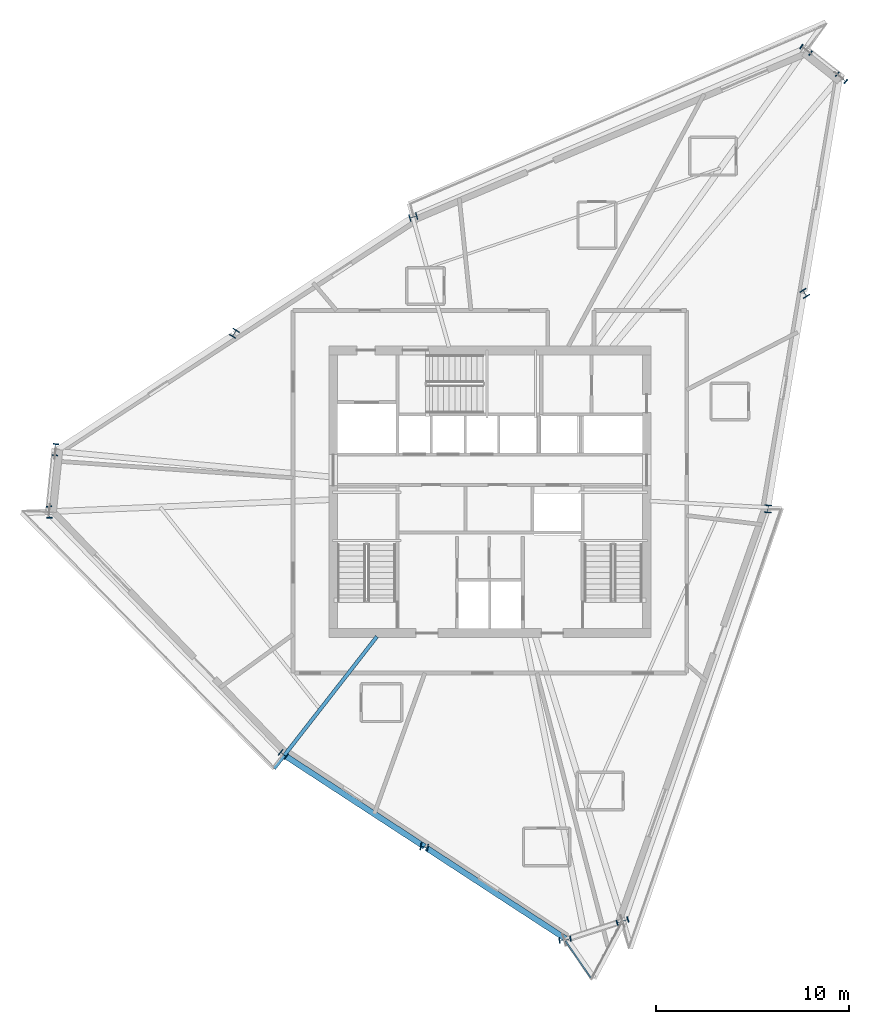
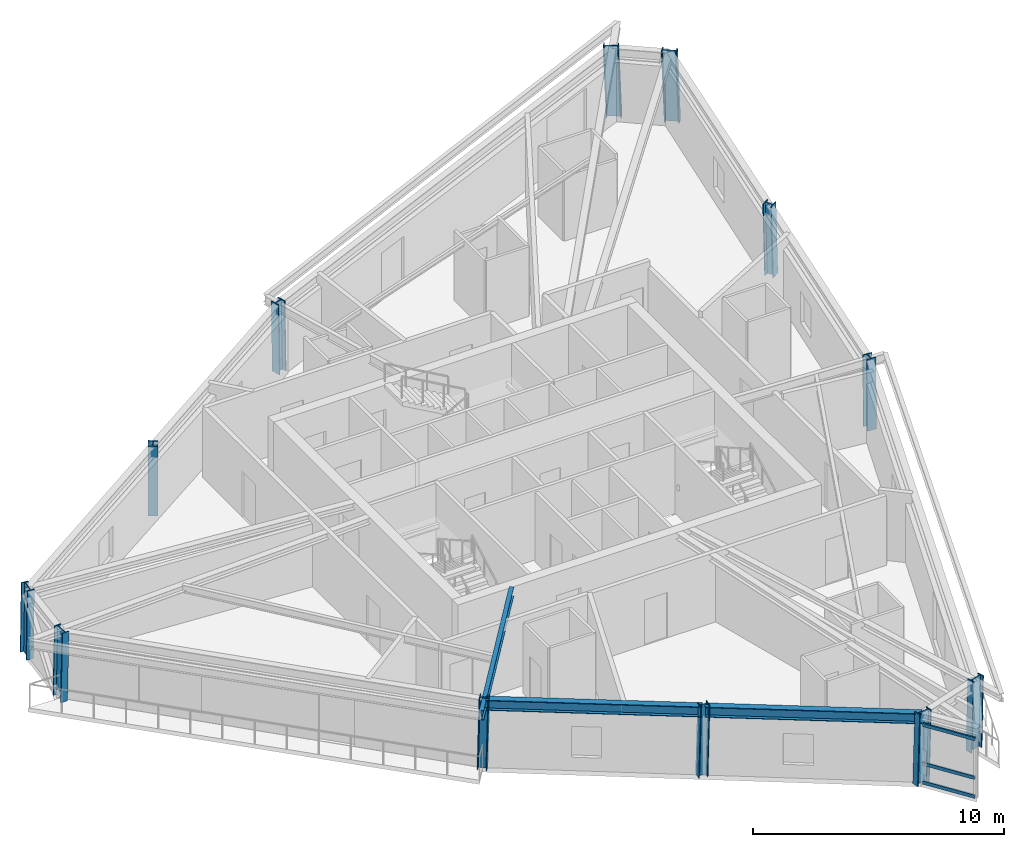
# One storey, part 1 of 13: 12 columns, 3 beams, 3 members, 1 element without a shape of its own.
"""IFC4 building model written with IfcOpenShell, lengths in metres."""

from ifc_helpers import new_model, si_unit, direction, frame, origin, origin_2d, place, context, subcontext, project, spatial, hollow_rectangle, i_section, extrude, source, transform, mapped, material, material_profile, profile_set, type_object, element, aggregate, save


model = new_model("IFC4")

# Units and contexts
model_context = context("Model", 3, precision=1e-05, world=origin(), true_north=direction((0.0, 1.0)))
body_context = subcontext(model_context, "Body", "Model", "MODEL_VIEW")
ifc_project = project(units=[si_unit("LENGTHUNIT", "METRE"), si_unit("AREAUNIT", "SQUARE_METRE"), si_unit("VOLUMEUNIT", "CUBIC_METRE"), si_unit("PLANEANGLEUNIT", "RADIAN"), si_unit("MASSUNIT", "GRAM", prefix="KILO")], contexts=[model_context])

# Site, building, storey
site_placement = place(None, origin())
site = spatial("IfcSite", under=ifc_project, at=site_placement, CompositionType="ELEMENT")
building_placement = place(site_placement, origin())
building = spatial("IfcBuilding", under=site, at=building_placement, Name="Olszyna Solenne Hotel", CompositionType="ELEMENT")
storey_placement = place(building_placement, frame((0.0, 0.0, 248.89990234375)))
storey = spatial("IfcBuildingStorey", under=building, at=storey_placement, Name="L66", CompositionType="ELEMENT", Elevation=248.89990234375)

# Columns
ifc_material_1 = material(Name="Steel S460M", Category="steel")
ifc_material_profile_1 = material_profile(ifc_material_1, i_section(OverallWidth=0.304931640625, OverallDepth=0.6201171875, WebThickness=0.02099609375, FlangeThickness=0.0400390625, at=origin_2d()), Name="HEM 600", Category="load-bearing")
ifc_profile_set_1 = profile_set([ifc_material_profile_1], Name="Steel S460M")
column_type_1 = type_object("IfcColumnType", Name="COL-K3", PredefinedType="COLUMN", material=ifc_profile_set_1)
shared_shape_1 = source(origin(), body_context, "Body", "SweptSolid", [
    extrude(i_section(OverallWidth=0.304931640625, OverallDepth=0.6201171875, WebThickness=0.02099609375, FlangeThickness=0.0400390625, at=origin_2d()), origin(), (0.0, 0.0, 1.0), 3.437255859375),
])
for number, where, z_axis, x_axis, name in (
    (1, (56.240234375, 48.0390625, 0.0), (-0.027274682282, 0.023084040994, 0.999361405477), (-0.646031344837, -0.763310881285, 0.0), "Perimeter framed-tube column COL-K3 C-L66-01"),
    (2, (54.3994140625, 49.492919921875, 0.0), (-0.029121384773, 0.020740108179, 0.999360692074), (-0.580110061532, -0.814538100097, 0.0), "Perimeter framed-tube column COL-K3 C-L66-02"),
):
    element("IfcColumn", number, at=place(storey_placement, frame(where, z_axis=z_axis, x_axis=x_axis)), inside=storey, type_object=column_type_1, Name=name, PredefinedType="COLUMN", context=body_context, shape_type="MappedRepresentation", body=[
        mapped(shared_shape_1, transform((0.0, 0.0, 0.0), x_axis=(1.0, 0.0, 0.0), y_axis=(0.0, 1.0, 0.0), z_axis=(0.0, 0.0, 1.0), scale=1.0)),
    ])
ifc_material_profile_2 = material_profile(ifc_material_1, i_section(OverallWidth=0.40087890625, OverallDepth=0.39892578125, WebThickness=0.02197265625, FlangeThickness=0.034423828125, at=origin_2d()), Name="HD 400x314", Category="load-bearing")
ifc_profile_set_2 = profile_set([ifc_material_profile_2], Name="Steel S460M")
column_type_2 = type_object("IfcColumnType", Name="COL-T5", PredefinedType="COLUMN", material=ifc_profile_set_2)
shared_shape_2 = source(origin(), body_context, "Body", "SweptSolid", [
    extrude(i_section(OverallWidth=0.40087890625, OverallDepth=0.39892578125, WebThickness=0.02197265625, FlangeThickness=0.034423828125, at=origin_2d()), origin(), (0.0, 0.0, 1.0), 3.435546875),
])
for number, where, z_axis, x_axis, name in (
    (3, (34.03564453125, 40.844970703125, 0.0), (-0.018120454418, -0.0051163636, 0.999822720264), (0.271729070223, -0.962373790372, 0.0), "Perimeter framed-tube column COL-T5 C-L66-03"),
    (4, (52.411865234375, 25.701416015625, 0.0), (0.001065918288, 0.018333794545, 0.999831353677), (-0.998314169879, 0.058041521505, 0.0), "Perimeter framed-tube column COL-T5 C-L66-11"),
):
    element("IfcColumn", number, at=place(storey_placement, frame(where, z_axis=z_axis, x_axis=x_axis)), inside=storey, type_object=column_type_2, Name=name, PredefinedType="COLUMN", context=body_context, shape_type="MappedRepresentation", body=[
        mapped(shared_shape_2, transform((0.0, 0.0, 0.0), x_axis=(1.0, 0.0, 0.0), y_axis=(0.0, 1.0, 0.0), z_axis=(0.0, 0.0, 1.0), scale=1.0)),
    ])
shared_shape_3 = source(origin(), body_context, "Body", "SweptSolid", [
    extrude(i_section(OverallWidth=0.40087890625, OverallDepth=0.39892578125, WebThickness=0.02197265625, FlangeThickness=0.034423828125, at=origin_2d()), origin(), (0.0, 0.0, 1.0), 3.435791015625),
])
for number, where, z_axis, x_axis, name in (
    (5, (24.758056640625, 34.820556640625, 0.0), (-0.010374657826, -0.016841054143, 0.999804353546), (0.851411530258, -0.524498242269, 0.0), "Perimeter framed-tube column COL-T5 C-L66-04"),
    (6, (27.281982421875, 12.98681640625, 0.0), (0.017266623322, -0.013571708043, 0.999758807143), (0.61796443076, 0.786206055888, 0.0), "Perimeter framed-tube column COL-T5 C-L66-07"),
):
    element("IfcColumn", number, at=place(storey_placement, frame(where, z_axis=z_axis, x_axis=x_axis)), inside=storey, type_object=column_type_2, Name=name, PredefinedType="COLUMN", context=body_context, shape_type="MappedRepresentation", body=[
        mapped(shared_shape_3, transform((0.0, 0.0, 0.0), x_axis=(1.0, 0.0, 0.0), y_axis=(0.0, 1.0, 0.0), z_axis=(0.0, 0.0, 1.0), scale=1.0)),
    ])
shared_shape_4 = source(origin(), body_context, "Body", "SweptSolid", [
    extrude(i_section(OverallWidth=0.304931640625, OverallDepth=0.6201171875, WebThickness=0.02099609375, FlangeThickness=0.0400390625, at=origin_2d()), origin(), (0.0, 0.0, 1.0), 3.4365234375),
])
for number, where, z_axis, x_axis, name in (
    (7, (15.48046875, 28.796142578125, 0.0), (-0.00277070807, -0.028630650052, 0.99958621892), (0.995350013555, -0.09632419486, 0.0), "Perimeter framed-tube column COL-K3 C-L66-05"),
    (8, (15.149169921875, 25.56201171875, 0.0), (0.001349822275, -0.028985657271, 0.99957891617), (0.998917441908, 0.046518214206, 0.0), "Perimeter framed-tube column COL-K3 C-L66-06"),
    (9, (41.875, 3.375, 0.0), (0.029482193899, 0.004972900176, 0.99955293532), (-0.166325220698, 0.986070951281, 0.0), "Perimeter framed-tube column COL-K3 C-L66-09"),
    (10, (44.855712890625, 4.3349609375, 0.0), (0.02827474586, 0.008738175228, 0.999561995596), (-0.295266430609, 0.955414954329, 0.0), "Perimeter framed-tube column COL-K3 C-L66-10"),
):
    element("IfcColumn", number, at=place(storey_placement, frame(where, z_axis=z_axis, x_axis=x_axis)), inside=storey, type_object=column_type_1, Name=name, PredefinedType="COLUMN", context=body_context, shape_type="MappedRepresentation", body=[
        mapped(shared_shape_4, transform((0.0, 0.0, 0.0), x_axis=(1.0, 0.0, 0.0), y_axis=(0.0, 1.0, 0.0), z_axis=(0.0, 0.0, 1.0), scale=1.0)),
    ])
shared_shape_5 = source(origin(), body_context, "Body", "SweptSolid", [
    extrude(i_section(OverallWidth=0.40087890625, OverallDepth=0.39892578125, WebThickness=0.02197265625, FlangeThickness=0.034423828125, at=origin_2d()), origin(), (0.0, 0.0, 1.0), 3.43603515625),
])
for number, where, z_axis, x_axis, name in (
    (11, (34.57861328125, 8.180908203125, 0.0), (0.023376475055, -0.004334240056, 0.99971733744), (0.182303291998, 0.983242345369, 0.0), "Perimeter framed-tube column COL-T5 C-L66-08"),
    (12, (54.325927734375, 36.870361328125, 0.0), (-0.013073556302, 0.020676113499, 0.999700745451), (-0.8452127177, -0.534430034559, 0.0), "Perimeter framed-tube column COL-T5 C-L66-12"),
):
    element("IfcColumn", number, at=place(storey_placement, frame(where, z_axis=z_axis, x_axis=x_axis)), inside=storey, type_object=column_type_2, Name=name, PredefinedType="COLUMN", context=body_context, shape_type="MappedRepresentation", body=[
        mapped(shared_shape_5, transform((0.0, 0.0, 0.0), x_axis=(1.0, 0.0, 0.0), y_axis=(0.0, 1.0, 0.0), z_axis=(0.0, 0.0, 1.0), scale=1.0)),
    ])

# Beams
ifc_material_2 = material(Name="Steel S355J2", Category="steel")
ifc_material_profile_3 = material_profile(ifc_material_2, i_section(OverallWidth=0.300048828125, OverallDepth=0.5, WebThickness=0.014404296875, FlangeThickness=0.028076171875, at=origin_2d()), Name="HEB 500", Category="load-bearing")
ifc_profile_set_3 = profile_set([ifc_material_profile_3], Name="Steel S355J2")
beam_type_1 = type_object("IfcBeamType", Name="BM-S3", PredefinedType="BEAM", material=ifc_profile_set_3)
shared_shape_6 = source(origin(), body_context, "Body", "SweptSolid", [
    extrude(i_section(OverallWidth=0.300048828125, OverallDepth=0.5, WebThickness=0.014404296875, FlangeThickness=0.028076171875, at=origin_2d()), origin(), (0.0, 0.0, 1.0), 8.616943359375),
])
for number, where, z_axis, x_axis, name in (
    (13, (27.3916015625, 12.9072265625, 3.130126953125), (0.837531678458, -0.546388769631, 0.0), (0.546388769631, 0.837531678458, 0.0), "Perimeter spandrel beam BM-S3 B-L66-1947"),
    (14, (34.709228515625, 8.13330078125, 3.130126953125), (0.837510253911, -0.546421608827, 0.0), (0.546421608827, 0.837510253911, 0.0), "Perimeter spandrel beam BM-S3 B-L66-1948"),
):
    element("IfcBeam", number, at=place(storey_placement, frame(where, z_axis=z_axis, x_axis=x_axis)), inside=storey, type_object=beam_type_1, Name=name, PredefinedType="BEAM", context=body_context, shape_type="MappedRepresentation", body=[
        mapped(shared_shape_6, transform((0.0, 0.0, 0.0), x_axis=(1.0, 0.0, 0.0), y_axis=(0.0, 1.0, 0.0), z_axis=(0.0, 0.0, 1.0), scale=1.0)),
    ])
ifc_material_profile_4 = material_profile(ifc_material_2, i_section(OverallWidth=0.18994140625, OverallDepth=0.449951171875, WebThickness=0.009521484375, FlangeThickness=0.0146484375, at=origin_2d()), Name="IPE 450", Category="load-bearing")
ifc_profile_set_4 = profile_set([ifc_material_profile_4], Name="Steel S355J2")
beam_type_2 = type_object("IfcBeamType", Name="BM-F4", PredefinedType="BEAM", material=ifc_profile_set_4)
shared_shape_7 = source(origin(), body_context, "Body", "SweptSolid", [
    extrude(i_section(OverallWidth=0.18994140625, OverallDepth=0.449951171875, WebThickness=0.009521484375, FlangeThickness=0.0146484375, at=origin_2d()), origin(), (0.0, 0.0, 1.0), 8.67041015625),
])
beam_placement = place(storey_placement, frame((26.80810546875, 12.251953125, 3.155029296875), z_axis=(0.61491484616, 0.788593515045, 0.0), x_axis=(-0.788593515045, 0.61491484616, 0.0)))
element("IfcBeam", 15, at=beam_placement, inside=storey, type_object=beam_type_2, Name="Radial floor girder BM-F4 B-L66-1958", PredefinedType="BEAM", context=body_context, shape_type="MappedRepresentation", body=[
    mapped(shared_shape_7, transform((0.0, 0.0, 0.0), x_axis=(1.0, 0.0, 0.0), y_axis=(0.0, 1.0, 0.0), z_axis=(0.0, 0.0, 1.0), scale=1.0)),
])

# Curtain wall, members
ifc_material_3 = material(Name="Anodised bronze aluminium", Category="aluminium")
curtain_wall_type = type_object("IfcCurtainWallType", Name="CW-SYS-5", PredefinedType="NOTDEFINED", material=ifc_material_3)
curtain_wall_placement = place(storey_placement, origin())
curtain_wall = element("IfcCurtainWall", 16, at=curtain_wall_placement, inside=storey, type_object=curtain_wall_type, Name="Unitised curtain wall CW-SYS-5 CW-L66-02", PredefinedType="NOTDEFINED")
ifc_material_profile_5 = material_profile(ifc_material_3, hollow_rectangle(XDim=0.074951171875, YDim=0.159912109375, WallThickness=0.00390625, at=origin_2d()), Name="TRAN 160x75x4", Category="load-bearing")
ifc_profile_set_5 = profile_set([ifc_material_profile_5], Name="Anodised bronze aluminium")
member_type = type_object("IfcMemberType", Name="CW-T1", PredefinedType="USERDEFINED", material=ifc_profile_set_5)
shared_shape_8 = source(origin(), body_context, "Body", "SweptSolid", [
    extrude(hollow_rectangle(XDim=0.074951171875, YDim=0.159912109375, WallThickness=0.00390625, at=origin_2d()), origin(), (0.0, 0.0, 1.0), 2.302001953125),
])
member_1_placement = place(storey_placement, frame((41.91748046875, 3.313232421875, 0.03759765625), z_axis=(0.565398498872, -0.824817881397, 0.0), x_axis=(0.824817881397, 0.565398498872, 0.0)))
member_1 = element("IfcMember", 17, at=member_1_placement, type_object=member_type, Name="Curtain-wall transom CW-T1 CT-L66-02-01", ObjectType="TRANSOM", PredefinedType="USERDEFINED", context=body_context, shape_type="MappedRepresentation", body=[
    mapped(shared_shape_8, transform((0.0, 0.0, 0.0), x_axis=(1.0, 0.0, 0.0), y_axis=(0.0, 1.0, 0.0), z_axis=(0.0, 0.0, 1.0), scale=1.0)),
])
member_2_placement = place(storey_placement, frame((41.91748046875, 3.313232421875, 0.9501953125), z_axis=(0.565398498872, -0.824817881397, 0.0), x_axis=(0.824817881397, 0.565398498872, 0.0)))
member_2 = element("IfcMember", 18, at=member_2_placement, type_object=member_type, Name="Curtain-wall transom CW-T1 CT-L66-02-02", ObjectType="TRANSOM", PredefinedType="USERDEFINED", context=body_context, shape_type="MappedRepresentation", body=[
    mapped(shared_shape_8, transform((0.0, 0.0, 0.0), x_axis=(1.0, 0.0, 0.0), y_axis=(0.0, 1.0, 0.0), z_axis=(0.0, 0.0, 1.0), scale=1.0)),
])
member_3_placement = place(storey_placement, frame((41.91748046875, 3.313232421875, 2.834716796875), z_axis=(0.565398498872, -0.824817881397, 0.0), x_axis=(0.824817881397, 0.565398498872, 0.0)))
member_3 = element("IfcMember", 19, at=member_3_placement, type_object=member_type, Name="Curtain-wall transom CW-T1 CT-L66-02-03", ObjectType="TRANSOM", PredefinedType="USERDEFINED", context=body_context, shape_type="MappedRepresentation", body=[
    mapped(shared_shape_8, transform((0.0, 0.0, 0.0), x_axis=(1.0, 0.0, 0.0), y_axis=(0.0, 1.0, 0.0), z_axis=(0.0, 0.0, 1.0), scale=1.0)),
])
aggregate(curtain_wall, [member_1, member_2, member_3])

save(model, "model.ifc")
